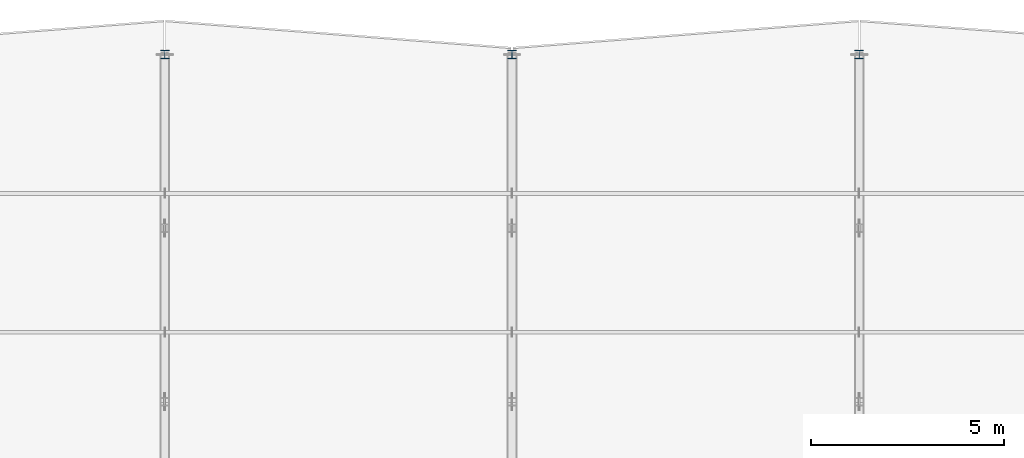
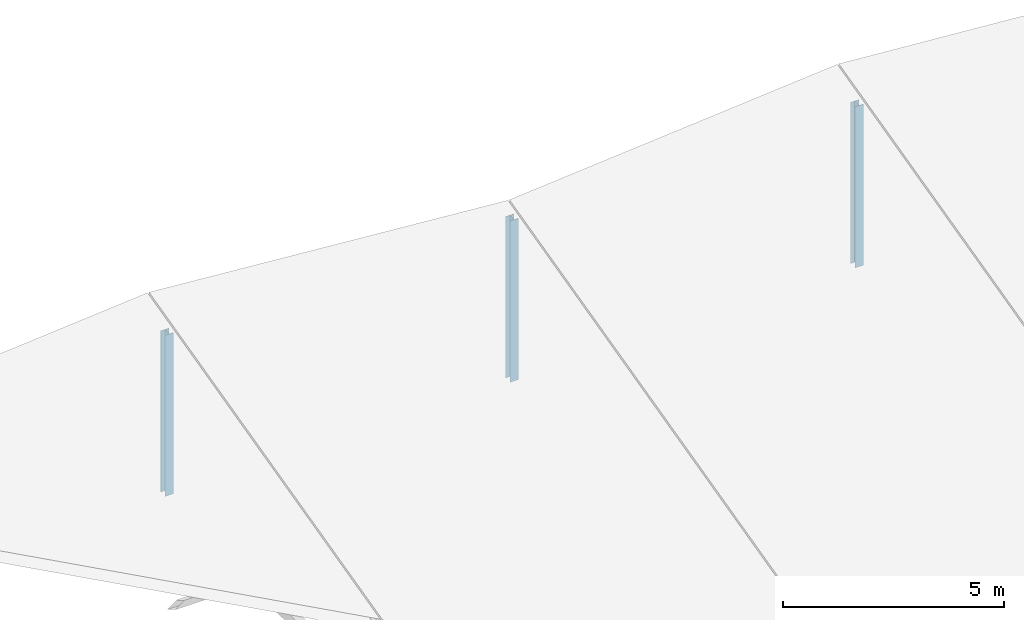
# One storey, part 12 of 36: 3 members.
"""IFC4 building model written with IfcOpenShell, lengths in metres."""

from ifc_helpers import new_model, si_unit, direction, frame, origin, origin_2d, place, context, subcontext, project, spatial, i_section, extrude, material, material_profile, profile_set, type_object, element, save


model = new_model("IFC4")

# Units and contexts
model_context = context("Model", 3, precision=1e-05, world=origin(), true_north=direction((0.0, 1.0)))
body_context = subcontext(model_context, "Body", "Model", "MODEL_VIEW")
ifc_project = project(units=[si_unit("LENGTHUNIT", "METRE"), si_unit("AREAUNIT", "SQUARE_METRE"), si_unit("VOLUMEUNIT", "CUBIC_METRE"), si_unit("PLANEANGLEUNIT", "RADIAN"), si_unit("MASSUNIT", "GRAM", prefix="KILO")], contexts=[model_context])

# Site, building, storey
site_placement = place(None, origin())
site = spatial("IfcSite", under=ifc_project, at=site_placement, CompositionType="ELEMENT")
building_placement = place(site_placement, origin())
building = spatial("IfcBuilding", under=site, at=building_placement, Name="Montelvaro Courts of Justice", CompositionType="ELEMENT")
storey_placement = place(building_placement, frame((0.0, 0.0, 23.39990234375)))
storey = spatial("IfcBuildingStorey", under=building, at=storey_placement, Name="L05", CompositionType="ELEMENT", Elevation=23.39990234375)

# Members
ifc_material = material(Name="Steel S355", Category="steel")
ifc_material_profile = material_profile(ifc_material, i_section(OverallWidth=0.219970703125, OverallDepth=0.2099609375, WebThickness=0.007080078125, FlangeThickness=0.010986328125, at=origin_2d()), Name="HEA 220")
ifc_profile_set = profile_set([ifc_material_profile], Name="Steel S355")
member_type = type_object("IfcMemberType", Name="Mem_HEA220_Post", PredefinedType="POST", material=ifc_profile_set)
for number, where, z_axis, x_axis, name in (
    (1, (135.0, 96.0, -0.2998046875), (0.0, 0.0, 1.0), (1.0, 0.0, 0.0), "Roof Truss Post MP-03 ROOF-V2-VTR05-V4"),
    (2, (144.0, 96.0, -0.2998046875), (0.0, 0.0, 1.0), (1.0, 0.0, 0.0), "Roof Truss Post MP-03 ROOF-V2-VTR06-V4"),
    (3, (153.0, 96.0, -0.2998046875), (0.0, 0.0, 1.0), (1.0, 0.0, 0.0), "Roof Truss Post MP-03 ROOF-V2-VTR07-V4"),
):
    element("IfcMember", number, at=place(storey_placement, frame(where, z_axis=z_axis, x_axis=x_axis)), inside=storey, type_object=member_type, Name=name, PredefinedType="POST", context=body_context, shape_type="SweptSolid", body=[
        extrude(i_section(OverallWidth=0.219970703125, OverallDepth=0.2099609375, WebThickness=0.007080078125, FlangeThickness=0.010986328125, at=origin_2d()), origin(), (0.0, 0.0, 1.0), 4.449951171875),
    ])

save(model, "model.ifc")
